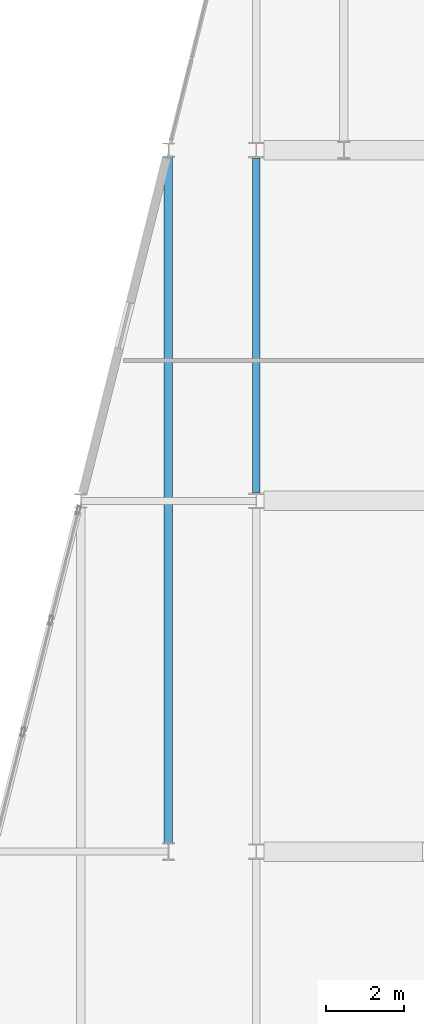
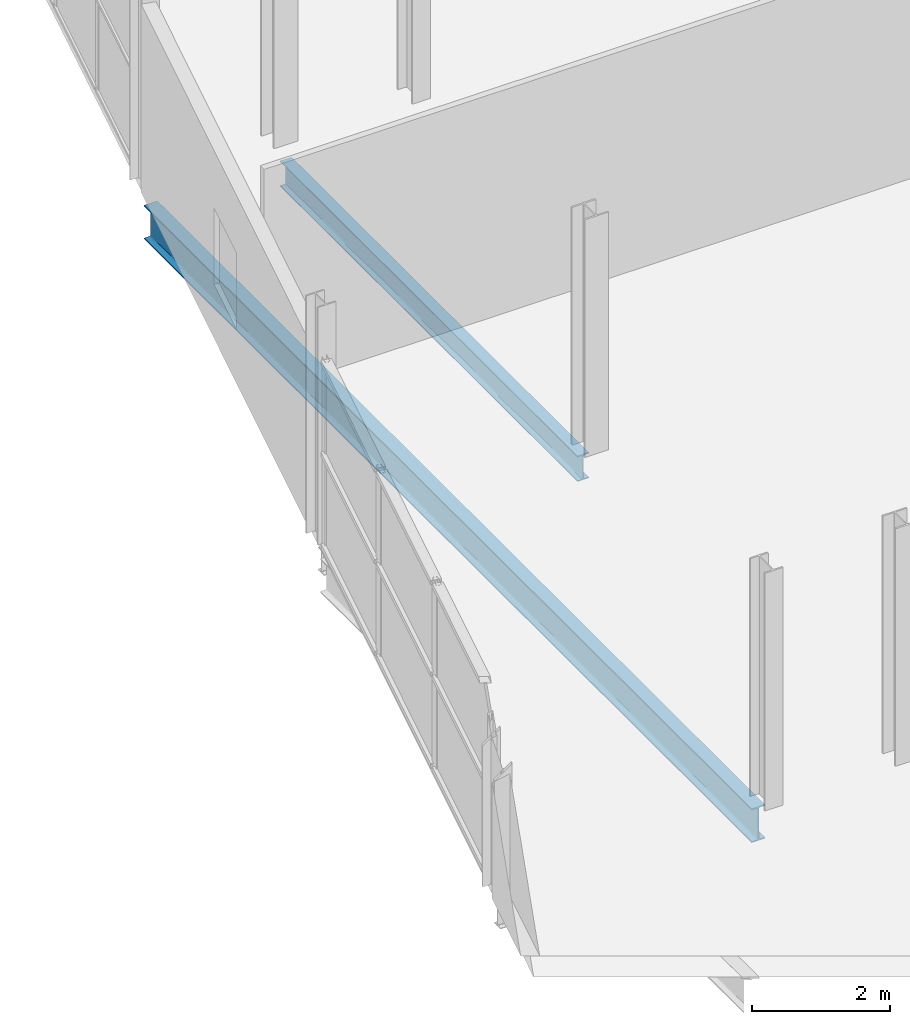
# One storey, part 55 of 135: 2 beams.
"""IFC4 building model written with IfcOpenShell, lengths in metres."""

from ifc_helpers import new_model, si_unit, direction, frame, origin, origin_2d, place, context, subcontext, project, spatial, i_section, extrude, material, material_profile, profile_set, type_object, element, save


model = new_model("IFC4")

# Units and contexts
model_context = context("Model", 3, precision=1e-05, world=origin(), true_north=direction((0.0, 1.0)))
body_context = subcontext(model_context, "Body", "Model", "MODEL_VIEW")
ifc_project = project(units=[si_unit("LENGTHUNIT", "METRE"), si_unit("AREAUNIT", "SQUARE_METRE"), si_unit("VOLUMEUNIT", "CUBIC_METRE"), si_unit("PLANEANGLEUNIT", "RADIAN"), si_unit("MASSUNIT", "GRAM", prefix="KILO")], contexts=[model_context])

# Site, building, storey
site_placement = place(None, origin())
site = spatial("IfcSite", under=ifc_project, at=site_placement, CompositionType="ELEMENT")
building_placement = place(site_placement, origin())
building = spatial("IfcBuilding", under=site, at=building_placement, Name="Deido Ridge Mobility Hub", CompositionType="ELEMENT")
storey_placement = place(building_placement, frame((0.0, 0.0, 4.199951171875)))
storey = spatial("IfcBuildingStorey", under=building, at=storey_placement, Name="L01", CompositionType="ELEMENT", Elevation=4.199951171875)

# Beams
ifc_material = material(Name="Steel S355J2 EN 10025-2", Category="steel")
ifc_material_profile_1 = material_profile(ifc_material, i_section(OverallWidth=0.18994140625, OverallDepth=0.449951171875, WebThickness=0.009521484375, FlangeThickness=0.0146484375, FilletRadius=0.02099609375, at=origin_2d()), Name="IPE 450")
ifc_profile_set_1 = profile_set([ifc_material_profile_1], Name="Steel S355J2 EN 10025-2")
beam_type_1 = type_object("IfcBeamType", Name="BM-IPE450", PredefinedType="BEAM", material=ifc_profile_set_1)
beam_1_placement = place(storey_placement, frame((126.0, 18.196533203125, -0.474853515625), z_axis=(0.0, 1.0, 0.0), x_axis=(-1.0, 0.0, 0.0)))
element("IfcBeam", 1, at=beam_1_placement, inside=storey, type_object=beam_type_1, Name="Floor beam B4", PredefinedType="BEAM", context=body_context, shape_type="SweptSolid", body=[
    extrude(i_section(OverallWidth=0.18994140625, OverallDepth=0.449951171875, WebThickness=0.009521484375, FlangeThickness=0.0146484375, FilletRadius=0.02099609375, at=origin_2d()), origin(), (0.0, 0.0, 1.0), 8.60693359375),
])
ifc_material_profile_2 = material_profile(ifc_material, i_section(OverallWidth=0.219970703125, OverallDepth=0.60009765625, WebThickness=0.011962890625, FlangeThickness=0.01904296875, FilletRadius=0.02392578125, at=origin_2d()), Name="IPE 600")
ifc_profile_set_2 = profile_set([ifc_material_profile_2], Name="Steel S355J2 EN 10025-2")
beam_type_2 = type_object("IfcBeamType", Name="BM-IPE600", PredefinedType="BEAM", material=ifc_profile_set_2)
beam_2_placement = place(storey_placement, frame((123.75, 9.22509765625, -0.550048828125), z_axis=(0.0, 1.0, 0.0), x_axis=(-1.0, 0.0, 0.0)))
element("IfcBeam", 2, at=beam_2_placement, inside=storey, type_object=beam_type_2, Name="Floor beam B1", PredefinedType="BEAM", context=body_context, shape_type="SweptSolid", body=[
    extrude(i_section(OverallWidth=0.219970703125, OverallDepth=0.60009765625, WebThickness=0.011962890625, FlangeThickness=0.01904296875, FilletRadius=0.02392578125, at=origin_2d()), origin(), (0.0, 0.0, 1.0), 17.594970703125),
])

save(model, "model.ifc")
